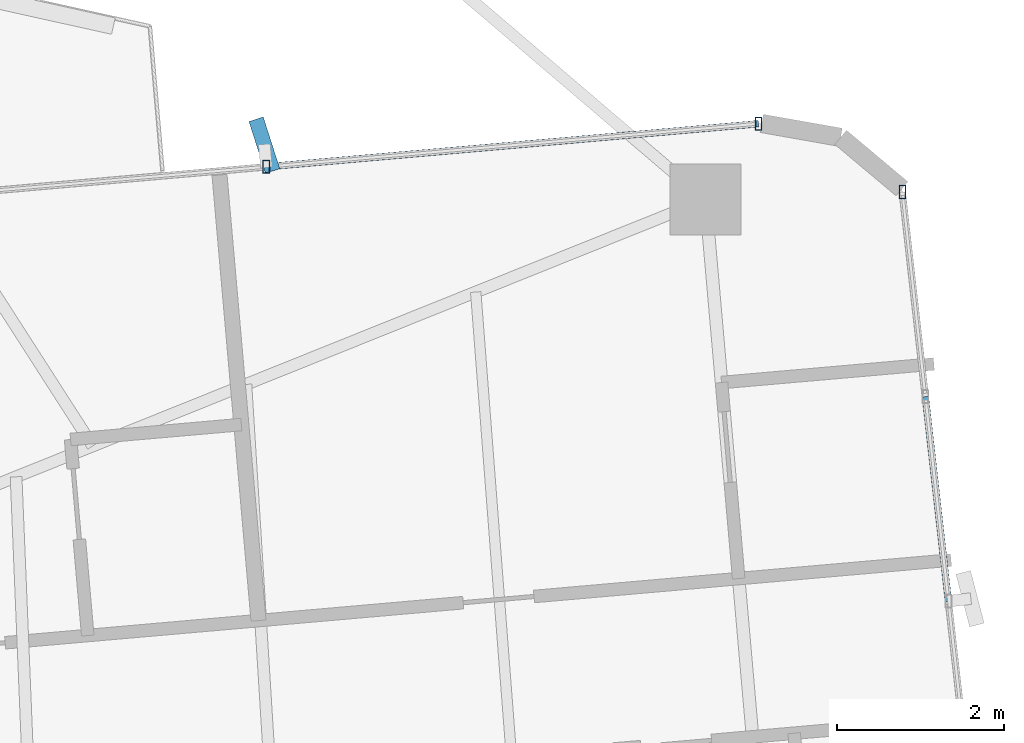
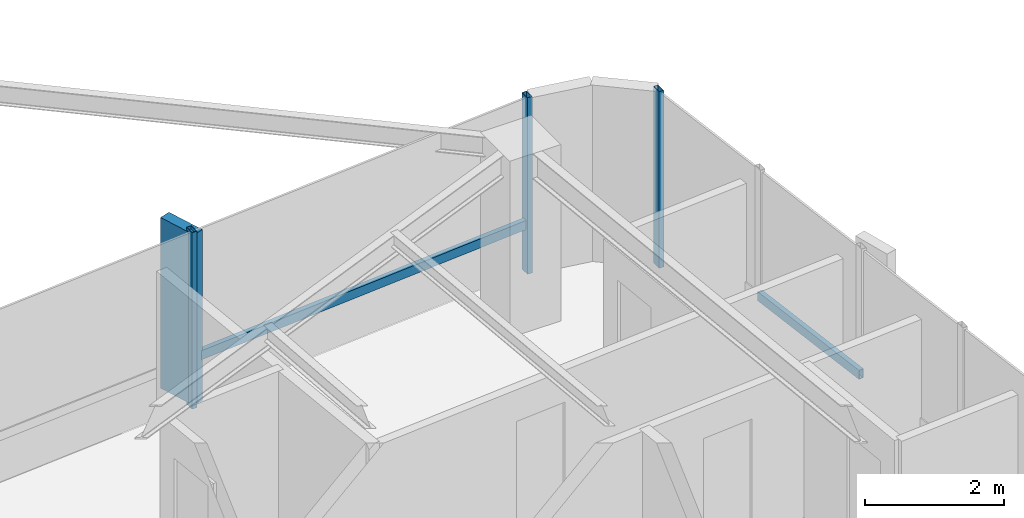
# One storey, part 15 of 24: 6 members, 2 elements without a shape of their own.
"""IFC4 building model written with IfcOpenShell, lengths in metres."""

from ifc_helpers import new_model, si_unit, direction, frame, origin, origin_2d, place, context, subcontext, project, spatial, rectangle, hollow_rectangle, extrude, source, transform, mapped, material, material_profile, profile_set, type_object, element, aggregate, save


model = new_model("IFC4")

# Units and contexts
model_context = context("Model", 3, precision=1e-05, world=origin(), true_north=direction((0.0, 1.0)))
body_context = subcontext(model_context, "Body", "Model", "MODEL_VIEW")
ifc_project = project(units=[si_unit("LENGTHUNIT", "METRE"), si_unit("AREAUNIT", "SQUARE_METRE"), si_unit("VOLUMEUNIT", "CUBIC_METRE"), si_unit("PLANEANGLEUNIT", "RADIAN"), si_unit("MASSUNIT", "GRAM", prefix="KILO")], contexts=[model_context])

# Site, building, storey
site_placement = place(None, origin())
site = spatial("IfcSite", under=ifc_project, at=site_placement, CompositionType="ELEMENT")
building_placement = place(site_placement, origin())
building = spatial("IfcBuilding", under=site, at=building_placement, Name="Sahyath Konkavel Grand Hotel", CompositionType="ELEMENT")
storey_placement = place(building_placement, frame((0.0, 0.0, 164.0)))
storey = spatial("IfcBuildingStorey", under=building, at=storey_placement, Name="L45", CompositionType="ELEMENT", Elevation=164.0)

# Curtain wall, member
ifc_material_1 = material(Name="Anodised Bronze Aluminium & Low-E Glazing", Category="aluminium")
curtain_wall_type = type_object("IfcCurtainWallType", Name="CW-ZONE3", PredefinedType="NOTDEFINED", material=ifc_material_1)
curtain_wall_1_placement = place(storey_placement, origin())
curtain_wall_1 = element("IfcCurtainWall", 1, at=curtain_wall_1_placement, inside=storey, type_object=curtain_wall_type, Name="L45 Unitised Curtain Wall F7", PredefinedType="NOTDEFINED")
ifc_material_2 = material(Name="Warm Buff Sandstone Cladding on Concrete C50/60", Category="masonry")
ifc_material_profile_1 = material_profile(ifc_material_2, rectangle(XDim=0.179931640625, YDim=0.64990234375, at=origin_2d()), Name="FIN 180x650")
ifc_profile_set_1 = profile_set([ifc_material_profile_1], Name="Warm Buff Sandstone Cladding on Concrete C50/60")
member_type_1 = type_object("IfcMemberType", Name="FIN-SANDSTONE-650", PredefinedType="MULLION", material=ifc_profile_set_1)
shared_shape_1 = source(origin(), body_context, "Body", "SweptSolid", [
    extrude(rectangle(XDim=0.179931640625, YDim=0.64990234375, at=origin_2d()), origin(), (0.0, 0.0, 1.0), 3.010009765625),
])
member_1_placement = place(storey_placement, frame((11.677001953125, 7.656982421875, 0.050048828125), z_axis=(0.0, 0.0, 1.0), x_axis=(0.952236042525, 0.30536293049, 0.0)))
member_1 = element("IfcMember", 2, at=member_1_placement, type_object=member_type_1, Name="L45 Sandstone Vertical Solar Fin FIN F7-1", PredefinedType="MULLION", context=body_context, shape_type="MappedRepresentation", body=[
    mapped(shared_shape_1, transform((0.0, 0.0, 0.0), scale=1.0)),
])

curtain_wall_2_placement = place(storey_placement, origin())
curtain_wall_2 = element("IfcCurtainWall", 3, at=curtain_wall_2_placement, inside=storey, type_object=curtain_wall_type, Name="L45 Unitised Curtain Wall F4", PredefinedType="NOTDEFINED")
ifc_material_3 = material(Name="Anodised Bronze Aluminium", Category="aluminium")
ifc_material_profile_2 = material_profile(ifc_material_3, hollow_rectangle(XDim=0.080078125, YDim=0.159912109375, WallThickness=0.006103515625, at=origin_2d()), Name="RHS 160x80x6")
ifc_profile_set_2 = profile_set([ifc_material_profile_2], Name="Anodised Bronze Aluminium")
member_type_2 = type_object("IfcMemberType", Name="CW-MUL-160", PredefinedType="MULLION", material=ifc_profile_set_2)
shared_shape_2 = source(origin(), body_context, "Body", "SweptSolid", [
    extrude(hollow_rectangle(XDim=0.080078125, YDim=0.159912109375, WallThickness=0.006103515625, at=origin_2d()), origin(), (0.0, 0.0, 1.0), 3.110107421875),
])
member_2_placement = place(storey_placement, frame((19.308349609375, 7.094970703125, 0.0), z_axis=(0.0, 0.0, 1.0), x_axis=(1.0, 0.0, 0.0)))
member_2 = element("IfcMember", 4, at=member_2_placement, type_object=member_type_2, Name="L45 Curtain Wall Mullion F4-4", PredefinedType="MULLION", context=body_context, shape_type="MappedRepresentation", body=[
    mapped(shared_shape_2, transform((0.0, 0.0, 0.0), scale=1.0)),
])

# Member
member_3_placement = place(storey_placement, frame((17.58740234375, 7.912841796875, 0.0), z_axis=(0.0, 0.0, 1.0), x_axis=(1.0, 0.0, 0.0)))
member_3 = element("IfcMember", 5, at=member_3_placement, type_object=member_type_2, Name="L45 Curtain Wall Mullion F7-0", PredefinedType="MULLION", context=body_context, shape_type="MappedRepresentation", body=[
    mapped(shared_shape_2, transform((0.0, 0.0, 0.0), scale=1.0)),
])

member_4_placement = place(storey_placement, frame((11.69970703125, 7.39794921875, 0.0), z_axis=(0.0, 0.0, 1.0), x_axis=(1.0, 0.0, 0.0)))
member_4 = element("IfcMember", 6, at=member_4_placement, type_object=member_type_2, Name="L45 Curtain Wall Mullion F7-1", PredefinedType="MULLION", context=body_context, shape_type="MappedRepresentation", body=[
    mapped(shared_shape_2, transform((0.0, 0.0, 0.0), scale=1.0)),
])

ifc_material_profile_3 = material_profile(ifc_material_3, hollow_rectangle(XDim=0.080078125, YDim=0.159912109375, WallThickness=0.006103515625, at=origin_2d()), Name="RHS 160x80x6")
ifc_profile_set_3 = profile_set([ifc_material_profile_3], Name="Anodised Bronze Aluminium")
member_type_3 = type_object("IfcMemberType", Name="CW-TRN-160", PredefinedType="USERDEFINED", material=ifc_profile_set_3)
shared_shape_3 = source(origin(), body_context, "Body", "SweptSolid", [
    extrude(hollow_rectangle(XDim=0.080078125, YDim=0.159912109375, WallThickness=0.006103515625, at=origin_2d()), origin(), (0.0, 0.0, 1.0), 2.461669921875),
])
member_5_placement = place(storey_placement, frame((19.859619140625, 2.201904296875, 0.85009765625), z_axis=(-0.111966154832, 0.993712020744, 0.0), x_axis=(-0.993712020744, -0.111966154832, 0.0)))
member_5 = element("IfcMember", 7, at=member_5_placement, type_object=member_type_3, Name="L45 Curtain Wall Transom F4-2-spandrel", ObjectType="TRANSOM", PredefinedType="USERDEFINED", context=body_context, shape_type="MappedRepresentation", body=[
    mapped(shared_shape_3, transform((0.0, 0.0, 0.0), scale=1.0)),
])

aggregate(curtain_wall_2, [member_2, member_5])

shared_shape_4 = source(origin(), body_context, "Body", "SweptSolid", [
    extrude(hollow_rectangle(XDim=0.080078125, YDim=0.159912109375, WallThickness=0.006103515625, at=origin_2d()), origin(), (0.0, 0.0, 1.0), 5.91015625),
])
member_6_placement = place(storey_placement, frame((17.58740234375, 7.912841796875, 0.85009765625), z_axis=(-0.996197841474, -0.087119806256, 0.0), x_axis=(0.087119806256, -0.996197841474, 0.0)))
member_6 = element("IfcMember", 8, at=member_6_placement, type_object=member_type_3, Name="L45 Curtain Wall Transom F7-0-spandrel", ObjectType="TRANSOM", PredefinedType="USERDEFINED", context=body_context, shape_type="MappedRepresentation", body=[
    mapped(shared_shape_4, transform((0.0, 0.0, 0.0), scale=1.0)),
])

aggregate(curtain_wall_1, [member_3, member_4, member_1, member_6])

save(model, "model.ifc")
